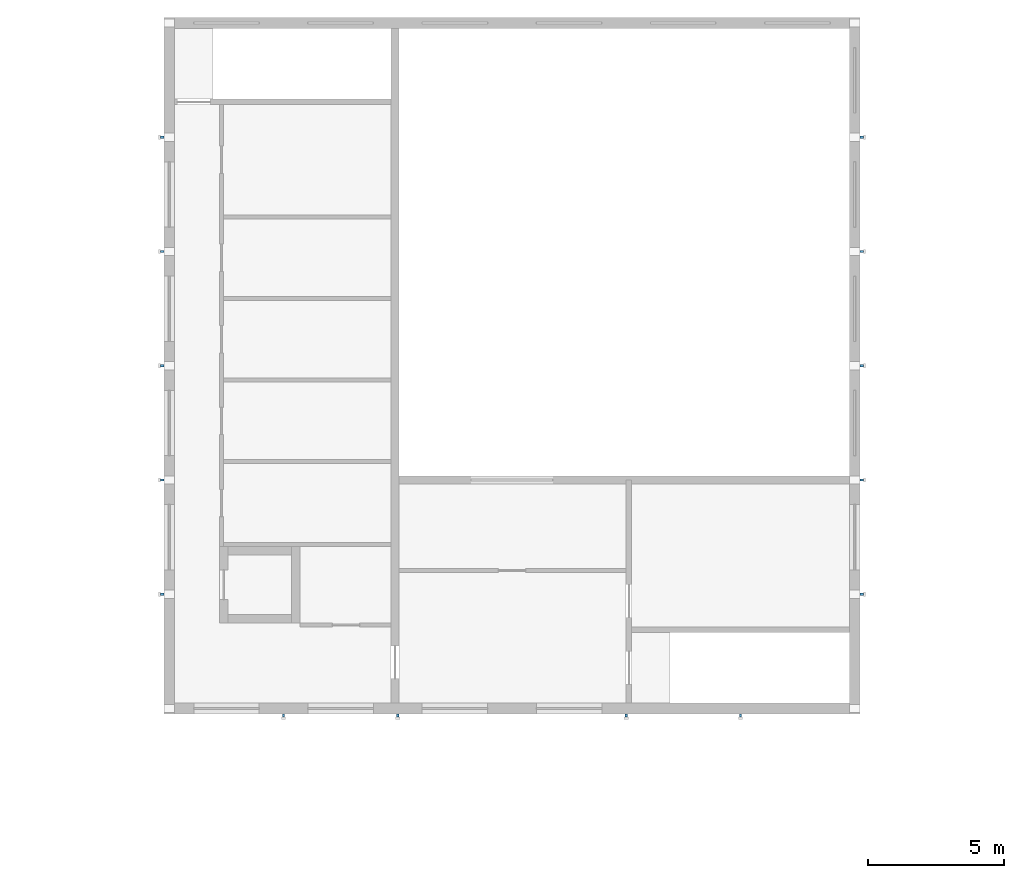
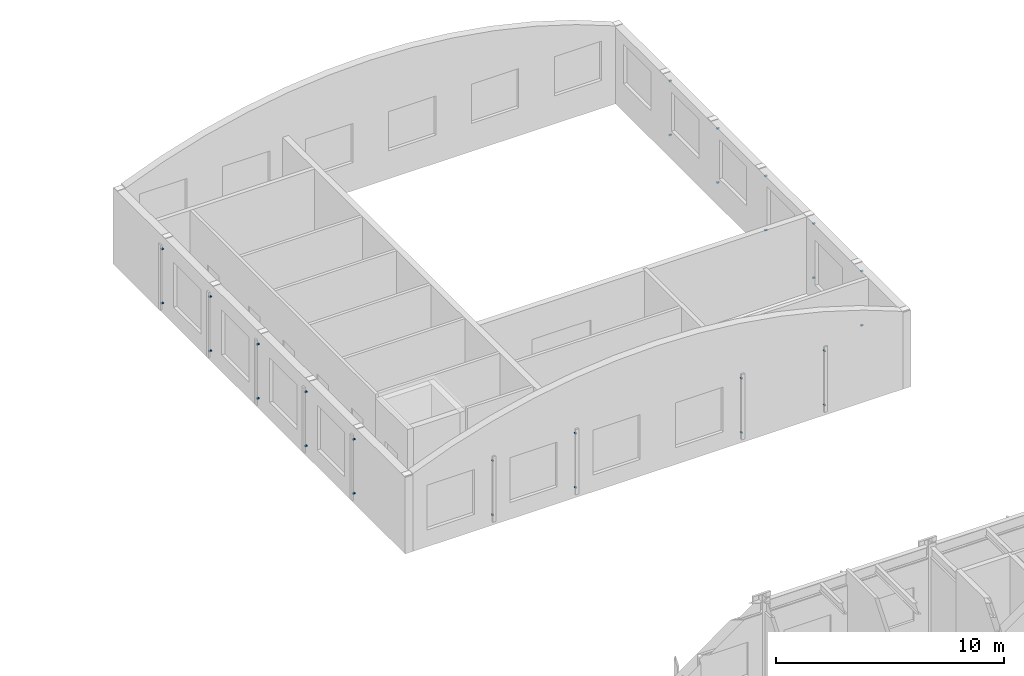
# One storey, part 106 of 127: 28 discrete accessories.
"""IFC4 building model written with IfcOpenShell, lengths in metres."""

from ifc_helpers import new_model, si_unit, direction, frame, origin, origin_2d, place, context, subcontext, project, spatial, rectangle, extrude, material, type_object, element, save


model = new_model("IFC4")

# Units and contexts
model_context = context("Model", 3, precision=1e-05, world=origin(), true_north=direction((0.0, 1.0)))
body_context = subcontext(model_context, "Body", "Model", "MODEL_VIEW")
ifc_project = project(units=[si_unit("LENGTHUNIT", "METRE"), si_unit("AREAUNIT", "SQUARE_METRE"), si_unit("VOLUMEUNIT", "CUBIC_METRE"), si_unit("PLANEANGLEUNIT", "RADIAN"), si_unit("MASSUNIT", "GRAM", prefix="KILO")], contexts=[model_context])

# Site, building, storey
site_placement = place(None, origin())
site = spatial("IfcSite", under=ifc_project, at=site_placement, CompositionType="ELEMENT")
building_placement = place(site_placement, origin())
building = spatial("IfcBuilding", under=site, at=building_placement, Name="Ljudholm Concert House", CompositionType="ELEMENT")
storey_placement = place(building_placement, frame((0.0, 0.0, 5.39990234375)))
storey = spatial("IfcBuildingStorey", under=building, at=storey_placement, Name="L01", CompositionType="ELEMENT", Elevation=5.39990234375)

# Discrete accessories
ifc_material = material(Name="Stainless steel bracket", Category="steel")
discrete_accessory_type = type_object("IfcDiscreteAccessoryType", Name="BRACKET 120", PredefinedType="BRACKET", material=ifc_material)
for number, where, z_axis, x_axis, name in (
    (1, (67.0, 146.5400390625, 0.570068359375), (0.0, 0.0, 1.0), (0.0, -1.0, 0.0), "Fin bracket"),
    (2, (67.0, 146.5400390625, 3.469970703125), (0.0, 0.0, 1.0), (0.0, -1.0, 0.0), "Fin bracket"),
    (3, (71.199951171875, 146.5400390625, 0.570068359375), (0.0, 0.0, 1.0), (0.0, -1.0, 0.0), "Fin bracket"),
    (4, (71.199951171875, 146.5400390625, 3.469970703125), (0.0, 0.0, 1.0), (0.0, -1.0, 0.0), "Fin bracket"),
    (5, (79.60009765625, 146.5400390625, 0.570068359375), (0.0, 0.0, 1.0), (0.0, -1.0, 0.0), "Fin bracket"),
    (6, (79.60009765625, 146.5400390625, 3.469970703125), (0.0, 0.0, 1.0), (0.0, -1.0, 0.0), "Fin bracket"),
    (7, (83.800048828125, 146.5400390625, 0.570068359375), (0.0, 0.0, 1.0), (0.0, -1.0, 0.0), "Fin bracket"),
    (8, (83.800048828125, 146.5400390625, 3.469970703125), (0.0, 0.0, 1.0), (0.0, -1.0, 0.0), "Fin bracket"),
    (9, (62.5400390625, 151.0, 0.570068359375), (0.0, 0.0, 1.0), (-1.0, 0.0, 0.0), "Fin bracket"),
    (10, (62.5400390625, 151.0, 3.469970703125), (0.0, 0.0, 1.0), (-1.0, 0.0, 0.0), "Fin bracket"),
    (11, (88.260009765625, 151.0, 0.570068359375), (0.0, 0.0, 1.0), (1.0, 0.0, 0.0), "Fin bracket"),
    (12, (88.260009765625, 151.0, 3.469970703125), (0.0, 0.0, 1.0), (1.0, 0.0, 0.0), "Fin bracket"),
    (13, (62.5400390625, 155.199951171875, 0.570068359375), (0.0, 0.0, 1.0), (-1.0, 0.0, 0.0), "Fin bracket"),
    (14, (62.5400390625, 155.199951171875, 3.469970703125), (0.0, 0.0, 1.0), (-1.0, 0.0, 0.0), "Fin bracket"),
    (15, (88.260009765625, 155.199951171875, 0.570068359375), (0.0, 0.0, 1.0), (1.0, 0.0, 0.0), "Fin bracket"),
    (16, (88.260009765625, 155.199951171875, 3.469970703125), (0.0, 0.0, 1.0), (1.0, 0.0, 0.0), "Fin bracket"),
    (17, (62.5400390625, 159.39990234375, 0.570068359375), (0.0, 0.0, 1.0), (-1.0, 0.0, 0.0), "Fin bracket"),
    (18, (62.5400390625, 159.39990234375, 3.469970703125), (0.0, 0.0, 1.0), (-1.0, 0.0, 0.0), "Fin bracket"),
    (19, (88.260009765625, 159.39990234375, 0.570068359375), (0.0, 0.0, 1.0), (1.0, 0.0, 0.0), "Fin bracket"),
    (20, (88.260009765625, 159.39990234375, 3.469970703125), (0.0, 0.0, 1.0), (1.0, 0.0, 0.0), "Fin bracket"),
    (21, (62.5400390625, 163.60009765625, 0.570068359375), (0.0, 0.0, 1.0), (-1.0, 0.0, 0.0), "Fin bracket"),
    (22, (62.5400390625, 163.60009765625, 3.469970703125), (0.0, 0.0, 1.0), (-1.0, 0.0, 0.0), "Fin bracket"),
    (23, (88.260009765625, 163.60009765625, 0.570068359375), (0.0, 0.0, 1.0), (1.0, 0.0, 0.0), "Fin bracket"),
    (24, (88.260009765625, 163.60009765625, 3.469970703125), (0.0, 0.0, 1.0), (1.0, 0.0, 0.0), "Fin bracket"),
    (25, (62.5400390625, 167.800048828125, 0.570068359375), (0.0, 0.0, 1.0), (-1.0, 0.0, 0.0), "Fin bracket"),
    (26, (62.5400390625, 167.800048828125, 3.469970703125), (0.0, 0.0, 1.0), (-1.0, 0.0, 0.0), "Fin bracket"),
    (27, (88.260009765625, 167.800048828125, 0.570068359375), (0.0, 0.0, 1.0), (1.0, 0.0, 0.0), "Fin bracket"),
    (28, (88.260009765625, 167.800048828125, 3.469970703125), (0.0, 0.0, 1.0), (1.0, 0.0, 0.0), "Fin bracket"),
):
    element("IfcDiscreteAccessory", number, at=place(storey_placement, frame(where, z_axis=z_axis, x_axis=x_axis)), inside=storey, type_object=discrete_accessory_type, Name=name, PredefinedType="BRACKET", context=body_context, shape_type="SweptSolid", body=[
        extrude(rectangle(XDim=0.1201171875, YDim=0.080078125, at=origin_2d()), origin(), (0.0, 0.0, 1.0), 0.06005859375),
    ])

save(model, "model.ifc")
